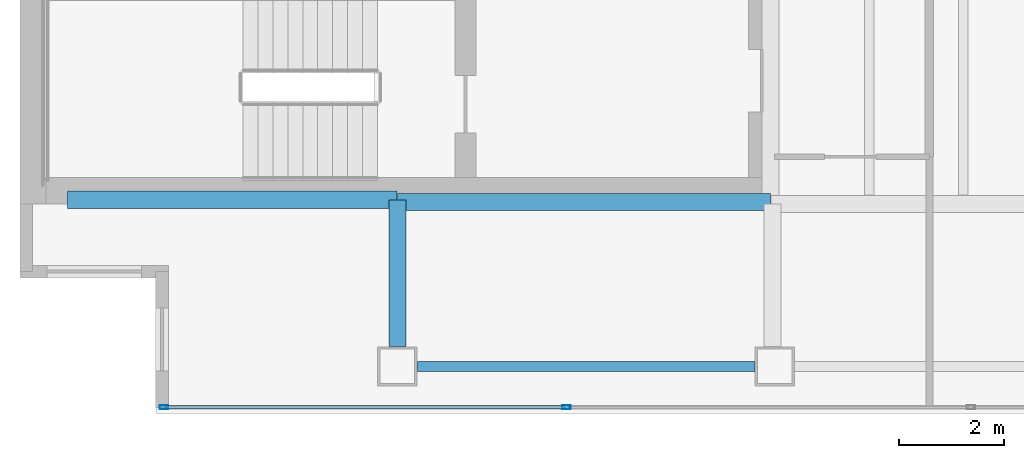
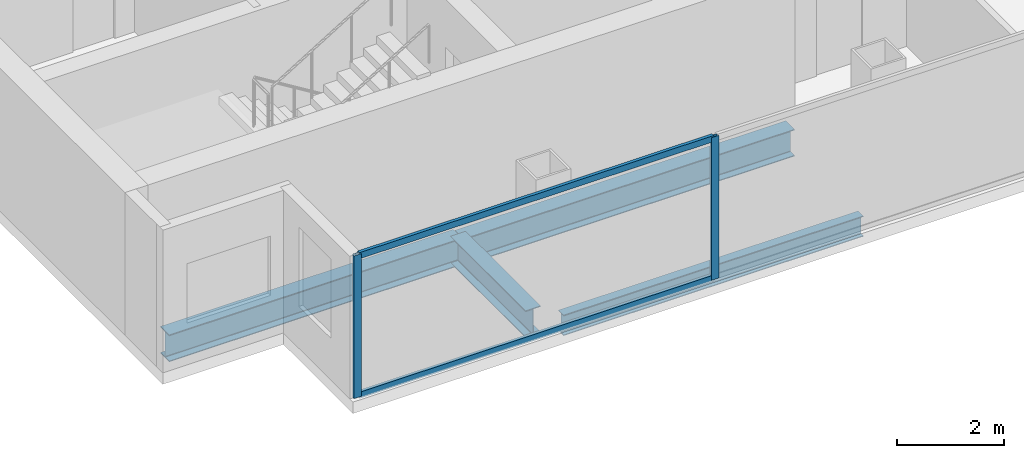
# One storey, part 2 of 23: 4 beams, 4 members, 1 element without a shape of its own.
"""IFC4 building model written with IfcOpenShell, lengths in metres."""

from ifc_helpers import new_model, si_unit, direction, frame, origin, origin_2d, place, context, subcontext, project, spatial, hollow_rectangle, i_section, extrude, material, material_profile, profile_set, type_object, element, aggregate, save


model = new_model("IFC4")

# Units and contexts
model_context = context("Model", 3, precision=1e-05, world=origin(), true_north=direction((0.0, 1.0)))
body_context = subcontext(model_context, "Body", "Model", "MODEL_VIEW")
ifc_project = project(units=[si_unit("LENGTHUNIT", "METRE"), si_unit("AREAUNIT", "SQUARE_METRE"), si_unit("VOLUMEUNIT", "CUBIC_METRE"), si_unit("PLANEANGLEUNIT", "RADIAN"), si_unit("MASSUNIT", "GRAM", prefix="KILO")], contexts=[model_context])

# Site, building, storey
site_placement = place(None, origin())
site = spatial("IfcSite", under=ifc_project, at=site_placement, CompositionType="ELEMENT")
building_placement = place(site_placement, origin())
building = spatial("IfcBuilding", under=site, at=building_placement, Name="Cobrela Telecom Tower", CompositionType="ELEMENT")
storey_placement = place(building_placement, frame((0.0, 0.0, 204.75)))
storey = spatial("IfcBuildingStorey", under=building, at=storey_placement, Name="L52", CompositionType="ELEMENT", Elevation=204.75)

# Beams
ifc_material_1 = material(Name="Steel ASTM A992 Grade 50", Category="steel")
ifc_material_profile_1 = material_profile(ifc_material_1, i_section(OverallWidth=0.324951171875, OverallDepth=0.612060546875, WebThickness=0.0126953125, FlangeThickness=0.01904296875, FilletRadius=0.014892578125, at=origin_2d()), Name="W24X104")
ifc_profile_set_1 = profile_set([ifc_material_profile_1], Name="Steel ASTM A992 Grade 50")
beam_type_1 = type_object("IfcBeamType", Name="BM-GIRD-07", PredefinedType="USERDEFINED", material=ifc_profile_set_1)
beam_1_placement = place(storey_placement, frame((0.905029296875, 7.280029296875, -0.56591796875), z_axis=(1.0, 0.0, 0.0), x_axis=(0.0, 1.0, 0.0)))
element("IfcBeam", 1, at=beam_1_placement, inside=storey, type_object=beam_type_1, Name="L52 Primary Girder X05", ObjectType="GIRDER", PredefinedType="USERDEFINED", context=body_context, shape_type="SweptSolid", body=[
    extrude(i_section(OverallWidth=0.324951171875, OverallDepth=0.612060546875, WebThickness=0.0126953125, FlangeThickness=0.01904296875, FilletRadius=0.014892578125, at=origin_2d()), origin(), (0.0, 0.0, 1.0), 6.2900390625),
])
beam_2_placement = place(storey_placement, frame((7.205078125, 7.239990234375, -0.56591796875), z_axis=(1.0, 0.0, 0.0), x_axis=(0.0, 1.0, 0.0)))
element("IfcBeam", 2, at=beam_2_placement, inside=storey, type_object=beam_type_1, Name="L52 Primary Girder X06", ObjectType="GIRDER", PredefinedType="USERDEFINED", context=body_context, shape_type="SweptSolid", body=[
    extrude(i_section(OverallWidth=0.324951171875, OverallDepth=0.612060546875, WebThickness=0.0126953125, FlangeThickness=0.01904296875, FilletRadius=0.014892578125, at=origin_2d()), origin(), (0.0, 0.0, 1.0), 7.10986328125),
])
beam_3_placement = place(storey_placement, frame((7.199951171875, 4.47998046875, -0.56591796875), z_axis=(0.0, 1.0, 0.0), x_axis=(-1.0, 0.0, 0.0)))
element("IfcBeam", 3, at=beam_3_placement, inside=storey, type_object=beam_type_1, Name="L52 Primary Girder Y24", ObjectType="GIRDER", PredefinedType="USERDEFINED", context=body_context, shape_type="SweptSolid", body=[
    extrude(i_section(OverallWidth=0.324951171875, OverallDepth=0.612060546875, WebThickness=0.0126953125, FlangeThickness=0.01904296875, FilletRadius=0.014892578125, at=origin_2d()), origin(), (0.0, 0.0, 1.0), 2.794921875),
])
ifc_material_profile_2 = material_profile(ifc_material_1, i_section(OverallWidth=0.193115234375, OverallDepth=0.467041015625, WebThickness=0.011474609375, FlangeThickness=0.01904296875, FilletRadius=0.012939453125, at=origin_2d()), Name="W18X65")
ifc_profile_set_2 = profile_set([ifc_material_profile_2], Name="Steel ASTM A992 Grade 50")
beam_type_2 = type_object("IfcBeamType", Name="BM-SPAND-05", PredefinedType="SPANDREL", material=ifc_profile_set_2)
beam_4_placement = place(storey_placement, frame((7.580078125, 4.10009765625, -0.493408203125), z_axis=(1.0, 0.0, 0.0), x_axis=(0.0, 1.0, 0.0)))
element("IfcBeam", 4, at=beam_4_placement, inside=storey, type_object=beam_type_2, Name="L52 Perimeter Spandrel X01", PredefinedType="SPANDREL", context=body_context, shape_type="SweptSolid", body=[
    extrude(i_section(OverallWidth=0.193115234375, OverallDepth=0.467041015625, WebThickness=0.011474609375, FlangeThickness=0.01904296875, FilletRadius=0.012939453125, at=origin_2d()), origin(), (0.0, 0.0, 1.0), 6.43994140625),
])

# Curtain wall, members
ifc_material_2 = material(Name="Anodized Bronze Aluminium 6063-T6", Category="aluminium")
curtain_wall_type = type_object("IfcCurtainWallType", Name="CW-SYS-OFF-LO", PredefinedType="USERDEFINED", material=ifc_material_2)
curtain_wall_placement = place(storey_placement, origin())
curtain_wall = element("IfcCurtainWall", 5, at=curtain_wall_placement, inside=storey, type_object=curtain_wall_type, Name="L52 Unitised Bronze Curtain Wall 17", ObjectType="UNITISED CURTAIN WALL", PredefinedType="USERDEFINED")
ifc_material_profile_3 = material_profile(ifc_material_2, hollow_rectangle(XDim=0.070068359375, YDim=0.159912109375, WallThickness=0.00390625, at=origin_2d()), Name="ALU 70x160x4")
ifc_profile_set_3 = profile_set([ifc_material_profile_3], Name="Anodized Bronze Aluminium 6063-T6")
member_type_1 = type_object("IfcMemberType", Name="CW-SYS-OFF-LO-MUL", PredefinedType="MULLION", material=ifc_profile_set_3)
member_1_placement = place(storey_placement, frame((10.426025390625, 3.320068359375, 0.0), z_axis=(0.0, 0.0, 1.0), x_axis=(0.0, -1.0, 0.0)))
member_1 = element("IfcMember", 6, at=member_1_placement, type_object=member_type_1, Name="CW-OFF-LO mullion 5", PredefinedType="MULLION", context=body_context, shape_type="SweptSolid", body=[
    extrude(hollow_rectangle(XDim=0.070068359375, YDim=0.159912109375, WallThickness=0.00390625, at=origin_2d()), origin(), (0.0, 0.0, 1.0), 3.239990234375),
])
member_2_placement = place(storey_placement, frame((2.7451171875, 3.320068359375, 0.0), z_axis=(0.0, 0.0, 1.0), x_axis=(0.0, -1.0, 0.0)))
member_2 = element("IfcMember", 7, at=member_2_placement, type_object=member_type_1, Name="CW-OFF-LO mullion 6", PredefinedType="MULLION", context=body_context, shape_type="SweptSolid", body=[
    extrude(hollow_rectangle(XDim=0.070068359375, YDim=0.159912109375, WallThickness=0.00390625, at=origin_2d()), origin(), (0.0, 0.0, 1.0), 3.239990234375),
])
ifc_material_profile_4 = material_profile(ifc_material_2, hollow_rectangle(XDim=0.070068359375, YDim=0.139892578125, WallThickness=0.00390625, at=origin_2d()), Name="ALU 70x140x4")
ifc_profile_set_4 = profile_set([ifc_material_profile_4], Name="Anodized Bronze Aluminium 6063-T6")
member_type_2 = type_object("IfcMemberType", Name="CW-SYS-OFF-LO-TRN", PredefinedType="USERDEFINED", material=ifc_profile_set_4)
member_3_placement = place(storey_placement, frame((10.39111328125, 3.320068359375, 0.034912109375), z_axis=(-1.0, 0.0, 0.0), x_axis=(0.0, -1.0, 0.0)))
member_3 = element("IfcMember", 8, at=member_3_placement, type_object=member_type_2, Name="CW-OFF-LO transom 5.1", ObjectType="TRANSOM", PredefinedType="USERDEFINED", context=body_context, shape_type="SweptSolid", body=[
    extrude(hollow_rectangle(XDim=0.070068359375, YDim=0.139892578125, WallThickness=0.00390625, at=origin_2d()), origin(), (0.0, 0.0, 1.0), 7.611083984375),
])
member_4_placement = place(storey_placement, frame((10.39111328125, 3.320068359375, 3.205078125), z_axis=(-1.0, 0.0, 0.0), x_axis=(0.0, -1.0, 0.0)))
member_4 = element("IfcMember", 9, at=member_4_placement, type_object=member_type_2, Name="CW-OFF-LO transom 5.2", ObjectType="TRANSOM", PredefinedType="USERDEFINED", context=body_context, shape_type="SweptSolid", body=[
    extrude(hollow_rectangle(XDim=0.070068359375, YDim=0.139892578125, WallThickness=0.00390625, at=origin_2d()), origin(), (0.0, 0.0, 1.0), 7.611083984375),
])
aggregate(curtain_wall, [member_1, member_2, member_3, member_4])

save(model, "model.ifc")
